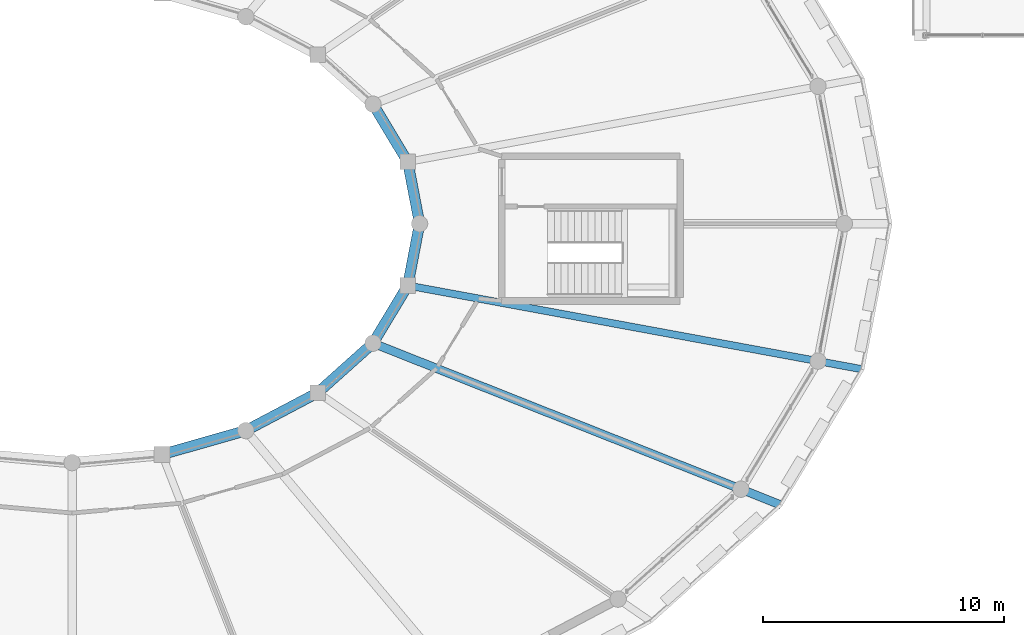
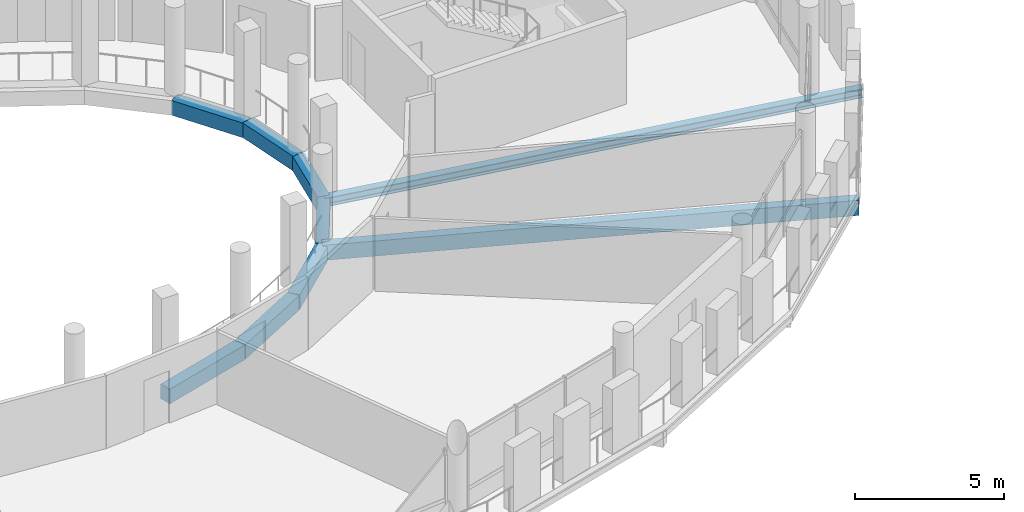
# One storey, part 53 of 128: 9 beams.
"""IFC4 building model written with IfcOpenShell, lengths in metres."""

import ifcopenshell
import ifcopenshell.guid

model = None  # the IFC model being written
_history = None  # IfcOwnerHistory: only IFC2X3 demands one
_inside = {}  # id of a spatial element -> (the spatial element, [elements in it])
_under = {}  # id of a project, library or spatial element -> (it, [spatial elements below it])
_declared = {}  # id of a project -> (the project, [libraries it declares])
_typed = {}  # id of a type object -> (the type object, [elements of that type])
_made_of = {}  # id of a material, layer set ... -> (it, [elements and type objects made of it])


def new_model(schema):
    """Start an empty IFC model of exactly this schema.

    Asked for "IFC4X3", IfcOpenShell would pick the latest addendum, in which some entities
    have other attributes; the version numbers below select the first issue.
    IFC2X3 requires an IfcOwnerHistory on every rooted entity: one is made here for all.
    """
    global model, _history
    if schema == "IFC4X3":
        model = ifcopenshell.file(schema_version=(4, 3, 0, 0))
    else:
        model = ifcopenshell.file(schema=schema)
    _inside.clear()
    _under.clear()
    _declared.clear()
    _typed.clear()
    _made_of.clear()
    _history = None
    if model.schema == "IFC2X3":
        org = make("IfcOrganization", Name="unknown")
        user = make(
            "IfcPersonAndOrganization",
            ThePerson=make("IfcPerson", FamilyName="unknown"),
            TheOrganization=org,
        )
        app = make(
            "IfcApplication",
            ApplicationDeveloper=org,
            Version="unknown",
            ApplicationFullName="unknown",
            ApplicationIdentifier="unknown",
        )
        _history = make(
            "IfcOwnerHistory",
            OwningUser=user,
            OwningApplication=app,
            ChangeAction="ADDED",
            CreationDate=0,
        )
    return model


def make(cls, **values):
    """One entity of the class cls with the attributes given. An attribute that is None is left unset."""
    return model.create_entity(
        cls, **{name: value for name, value in values.items() if value is not None}
    )


def rooted(cls, **values):
    """An entity with a GlobalId (a new one), such as an element, a storey or a relation."""
    return make(cls, GlobalId=ifcopenshell.guid.new(), OwnerHistory=_history, **values)


def si_unit(unit_type, name, prefix=None):
    """IfcSIUnit, for example si_unit("LENGTHUNIT", "METRE", prefix="MILLI")."""
    return make("IfcSIUnit", UnitType=unit_type, Prefix=prefix, Name=name)


def assignment(units):
    """IfcUnitAssignment: the units of a project."""
    return None if units is None else make("IfcUnitAssignment", Units=units)


def point(xyz):
    """IfcCartesianPoint."""
    return None if xyz is None else make("IfcCartesianPoint", Coordinates=xyz)


def direction(xyz):
    """IfcDirection."""
    return None if xyz is None else make("IfcDirection", DirectionRatios=xyz)


def frame(location, z_axis=None, x_axis=None):
    """IfcAxis2Placement3D, a coordinate frame: its origin and axes. An axis left out is left unset."""
    return make(
        "IfcAxis2Placement3D",
        Location=point(location),
        Axis=direction(z_axis),
        RefDirection=direction(x_axis),
    )


def frame_2d(location, x_axis=None):
    """IfcAxis2Placement2D, a coordinate frame in the plane: its origin and x axis."""
    return make(
        "IfcAxis2Placement2D", Location=point(location), RefDirection=direction(x_axis)
    )


def origin():
    """The frame at (0, 0, 0) with its axes left unset."""
    return frame((0.0, 0.0, 0.0))


def origin_2d():
    """The frame at (0, 0) in the plane with its x axis left unset."""
    return frame_2d((0.0, 0.0))


def place(relative_to, where):
    """IfcLocalPlacement: puts the frame where relative to a parent placement (None: the world)."""
    return make(
        "IfcLocalPlacement", PlacementRelTo=relative_to, RelativePlacement=where
    )


def context(
    kind, dimensions, precision=None, world=None, true_north=None, identifier=None
):
    """IfcGeometricRepresentationContext, for example the 3D "Model" context."""
    return make(
        "IfcGeometricRepresentationContext",
        ContextIdentifier=identifier,
        ContextType=kind,
        CoordinateSpaceDimension=dimensions,
        Precision=precision,
        WorldCoordinateSystem=world,
        TrueNorth=true_north,
    )


def subcontext(parent, identifier, kind, view, scale=None):
    """IfcGeometricRepresentationSubContext, for example "Body" below "Model"."""
    return make(
        "IfcGeometricRepresentationSubContext",
        ContextIdentifier=identifier,
        ContextType=kind,
        ParentContext=parent,
        TargetScale=scale,
        TargetView=view,
    )


def project(units=None, contexts=None):
    """IfcProject with its units and contexts."""
    return rooted(
        "IfcProject",
        Name="project",
        RepresentationContexts=contexts,
        UnitsInContext=assignment(units),
    )


def spatial(cls, under=None, at=None, **own):
    """A site, building, storey or space (cls), placed at a placement, below another one or the project."""
    s = rooted(cls, ObjectPlacement=at, **own)
    if under is not None:
        _under.setdefault(under.id(), (under, []))[1].append(s)
    return s


def profile(cls, at=None, kind="AREA", **sizes):
    """A parametric profile (cls). Its sizes go by their IFC names, for example OverallWidth=200.0."""
    return make(cls, ProfileType=kind, Position=at, **sizes)


def rectangle(**sizes):
    """IfcRectangleProfileDef."""
    return profile("IfcRectangleProfileDef", **sizes)


def i_section(**sizes):
    """IfcIShapeProfileDef."""
    return profile("IfcIShapeProfileDef", **sizes)


def extrude(swept, where, along, depth):
    """IfcExtrudedAreaSolid: the profile swept, set in the frame where, extruded along a direction by depth."""
    return make(
        "IfcExtrudedAreaSolid",
        SweptArea=swept,
        Position=where,
        ExtrudedDirection=direction(along),
        Depth=depth,
    )


def shape(context_of_items, identifier, shape_type, items):
    """IfcShapeRepresentation: the items that make up one representation, for example the "Body"."""
    return make(
        "IfcShapeRepresentation",
        ContextOfItems=context_of_items,
        RepresentationIdentifier=identifier,
        RepresentationType=shape_type,
        Items=items,
    )


def material(Name=None, Category=None):
    """IfcMaterial."""
    return make("IfcMaterial", Name=Name, Category=Category)


def material_profile(
    of_material, cross_section, Name=None, Category=None, Priority=None
):
    """IfcMaterialProfile: a cross section and its material."""
    return make(
        "IfcMaterialProfile",
        Name=Name,
        Material=of_material,
        Profile=cross_section,
        Priority=Priority,
        Category=Category,
    )


def profile_set(profiles, Name=None, composite=None):
    """IfcMaterialProfileSet."""
    return make(
        "IfcMaterialProfileSet",
        Name=Name,
        MaterialProfiles=profiles,
        CompositeProfile=composite,
    )


def made_of(thing, what):
    """Note that an element or type object is made of a material, layer set ...; save() writes the relation."""
    if what is not None:
        _made_of.setdefault(what.id(), (what, []))[1].append(thing)
    return thing


def type_object(cls, material=None, **own):
    """A type object (cls), such as IfcWallType, which elements share."""
    return made_of(rooted(cls, **own), material)


def element(
    cls,
    number,
    at=None,
    inside=None,
    cuts=None,
    type_object=None,
    material=None,
    context=None,
    identifier="Body",
    shape_type=None,
    held_by="IfcProductDefinitionShape",
    body=None,
    shapes=None,
    **own,
):
    """One element of the class cls, such as IfcWall. Its Tag is "e" and its number.

    at: its placement. inside: the storey or other place that contains it. cuts: it is an
    opening in that element (IfcRelVoidsElement). A single representation is given by context,
    identifier, shape_type and body (its items); several are given by shapes. held_by: the class
    of the entity that holds the representations. save() writes the other relations.
    """
    e = rooted(cls, Tag="e%d" % number, ObjectPlacement=at, **own)
    if body is not None:
        shapes = [shape(context, identifier, shape_type, body)]
    if shapes is not None:
        e.Representation = make(held_by, Representations=shapes)
    if inside is not None:
        _inside.setdefault(inside.id(), (inside, []))[1].append(e)
    if cuts is not None:
        rooted(
            "IfcRelVoidsElement", RelatingBuildingElement=cuts, RelatedOpeningElement=e
        )
    if type_object is not None:
        _typed.setdefault(type_object.id(), (type_object, []))[1].append(e)
    return made_of(e, material)


def aggregate(whole, parts):
    """IfcRelAggregates: a whole, such as a stair, and the parts it consists of."""
    return rooted("IfcRelAggregates", RelatingObject=whole, RelatedObjects=parts)


def save(model, path):
    """Write the relations noted so far, then the file.

    IfcRelAggregates (storeys below a building ...), IfcRelContainedInSpatialStructure (elements
    in a storey), IfcRelDefinesByType, IfcRelAssociatesMaterial and IfcRelDeclares: one each for
    every whole, place, type object, material and project.
    """
    for whole, parts in _under.values():
        aggregate(whole, parts)
    for where, things in _inside.values():
        rooted(
            "IfcRelContainedInSpatialStructure",
            RelatedElements=things,
            RelatingStructure=where,
        )
    for kind, things in _typed.values():
        rooted("IfcRelDefinesByType", RelatedObjects=things, RelatingType=kind)
    for what, things in _made_of.values():
        rooted("IfcRelAssociatesMaterial", RelatedObjects=things, RelatingMaterial=what)
    for by, libraries in _declared.values():
        rooted("IfcRelDeclares", RelatingContext=by, RelatedDefinitions=libraries)
    model.write(path)


model = new_model("IFC4")

# Units and contexts
model_context = context("Model", 3, precision=1e-05, world=origin(), true_north=direction((0.0, 1.0)))
body_context = subcontext(model_context, "Body", "Model", "MODEL_VIEW")
ifc_project = project(units=[si_unit("LENGTHUNIT", "METRE"), si_unit("AREAUNIT", "SQUARE_METRE"), si_unit("VOLUMEUNIT", "CUBIC_METRE"), si_unit("PLANEANGLEUNIT", "RADIAN"), si_unit("MASSUNIT", "GRAM", prefix="KILO")], contexts=[model_context])

# Site, building, storey
site_placement = place(None, origin())
site = spatial("IfcSite", under=ifc_project, at=site_placement, CompositionType="ELEMENT")
building_placement = place(site_placement, origin())
building = spatial("IfcBuilding", under=site, at=building_placement, Name="Zornivar Specialist Clinic", CompositionType="ELEMENT")
storey_placement = place(building_placement, frame((0.0, 0.0, 4.5)))
storey = spatial("IfcBuildingStorey", under=building, at=storey_placement, Name="L01", CompositionType="ELEMENT", Elevation=4.5)

# Beams
ifc_material_1 = material(Name="Concrete C30/37", Category="concrete")
ifc_material_profile_1 = material_profile(ifc_material_1, rectangle(XDim=0.43994140625, YDim=0.60009765625, at=origin_2d()), Name="RC 440x600")
ifc_profile_set_1 = profile_set([ifc_material_profile_1], Name="Concrete C30/37")
beam_type_1 = type_object("IfcBeamType", Name="BM-RC-440x600", PredefinedType="BEAM", material=ifc_profile_set_1)
beam_1_placement = place(storey_placement, frame((108.0, 57.60009765625, -0.590087890625), z_axis=(-0.188208648203, 0.982129067252, 0.0), x_axis=(-0.982129067252, -0.188208648203, 0.0)))
element("IfcBeam", 1, at=beam_1_placement, inside=storey, type_object=beam_type_1, Name="bm:V1:L01:inring:00", PredefinedType="BEAM", context=body_context, shape_type="SweptSolid", body=[
    extrude(rectangle(XDim=0.43994140625, YDim=0.60009765625, at=origin_2d()), origin(), (0.0, 0.0, 1.0), 2.608642578125),
])
beam_2_placement = place(storey_placement, frame((107.509033203125, 60.162109375, -0.590087890625), z_axis=(-0.515873260277, 0.856664916599, 0.0), x_axis=(-0.856664916599, -0.515873260277, 0.0)))
element("IfcBeam", 2, at=beam_2_placement, inside=storey, type_object=beam_type_1, Name="bm:V1:L01:inring:01", PredefinedType="BEAM", context=body_context, shape_type="SweptSolid", body=[
    extrude(rectangle(XDim=0.43994140625, YDim=0.60009765625, at=origin_2d()), origin(), (0.0, 0.0, 1.0), 2.78759765625),
])
beam_3_placement = place(storey_placement, frame((97.326904296875, 48.037109375, -0.590087890625), z_axis=(0.961783741221, 0.273810217345, 0.0), x_axis=(-0.273810217345, 0.961783741221, 0.0)))
element("IfcBeam", 3, at=beam_3_placement, inside=storey, type_object=beam_type_1, Name="bm:V1:L01:inring:19", PredefinedType="BEAM", context=body_context, shape_type="SweptSolid", body=[
    extrude(rectangle(XDim=0.43994140625, YDim=0.60009765625, at=origin_2d()), origin(), (0.0, 0.0, 1.0), 3.611083984375),
])
beam_4_placement = place(storey_placement, frame((100.800048828125, 49.02587890625, -0.590087890625), z_axis=(0.884333274309, 0.466856144813, 0.0), x_axis=(-0.466856144813, 0.884333274309, 0.0)))
element("IfcBeam", 4, at=beam_4_placement, inside=storey, type_object=beam_type_1, Name="bm:V1:L01:inring:20", PredefinedType="BEAM", context=body_context, shape_type="SweptSolid", body=[
    extrude(rectangle(XDim=0.43994140625, YDim=0.60009765625, at=origin_2d()), origin(), (0.0, 0.0, 1.0), 3.3720703125),
])
beam_5_placement = place(storey_placement, frame((103.781982421875, 50.60009765625, -0.590087890625), z_axis=(0.744966948512, 0.667101375822, 0.0), x_axis=(-0.667101375822, 0.744966948512, 0.0)))
element("IfcBeam", 5, at=beam_5_placement, inside=storey, type_object=beam_type_1, Name="bm:V1:L01:inring:21", PredefinedType="BEAM", context=body_context, shape_type="SweptSolid", body=[
    extrude(rectangle(XDim=0.43994140625, YDim=0.60009765625, at=origin_2d()), origin(), (0.0, 0.0, 1.0), 3.07275390625),
])
beam_6_placement = place(storey_placement, frame((106.071044921875, 52.64990234375, -0.590087890625), z_axis=(0.515834556349, 0.856688222445, 0.0), x_axis=(-0.856688222445, 0.515834556349, 0.0)))
element("IfcBeam", 6, at=beam_6_placement, inside=storey, type_object=beam_type_1, Name="bm:V1:L01:inring:22", PredefinedType="BEAM", context=body_context, shape_type="SweptSolid", body=[
    extrude(rectangle(XDim=0.43994140625, YDim=0.60009765625, at=origin_2d()), origin(), (0.0, 0.0, 1.0), 2.78759765625),
])
beam_7_placement = place(storey_placement, frame((107.509033203125, 55.0380859375, -0.590087890625), z_axis=(0.188208648203, 0.982129067252, 0.0), x_axis=(-0.982129067252, 0.188208648203, 0.0)))
element("IfcBeam", 7, at=beam_7_placement, inside=storey, type_object=beam_type_1, Name="bm:V1:L01:inring:23", PredefinedType="BEAM", context=body_context, shape_type="SweptSolid", body=[
    extrude(rectangle(XDim=0.43994140625, YDim=0.60009765625, at=origin_2d()), origin(), (0.0, 0.0, 1.0), 2.608642578125),
])
ifc_material_2 = material(Name="Concrete C30/37", Category="concrete")
ifc_material_profile_2 = material_profile(ifc_material_2, rectangle(XDim=0.35009765625, YDim=0.6201171875, at=origin_2d()), Name="RC 350x620")
ifc_profile_set_2 = profile_set([ifc_material_profile_2], Name="Concrete C30/37")
beam_type_2 = type_object("IfcBeamType", Name="BM-RC-CANT-350x620", PredefinedType="BEAM", material=ifc_profile_set_2)
beam_8_placement = place(storey_placement, frame((106.071044921875, 52.64990234375, -0.550048828125), z_axis=(0.92946024729, -0.368922280036, 0.0), x_axis=(0.368922280036, 0.92946024729, 0.0)))
element("IfcBeam", 8, at=beam_8_placement, inside=storey, type_object=beam_type_2, Name="bm:V1:L01:radcant:22", PredefinedType="BEAM", context=body_context, shape_type="SweptSolid", body=[
    extrude(rectangle(XDim=0.35009765625, YDim=0.6201171875, at=origin_2d()), origin(), (0.0, 0.0, 1.0), 18.18798828125),
])
ifc_material_3 = material(Name="Steel S355J2", Category="steel")
ifc_material_profile_3 = material_profile(ifc_material_3, i_section(OverallWidth=0.300048828125, OverallDepth=0.360107421875, WebThickness=0.012451171875, FlangeThickness=0.0224609375, FilletRadius=0.027099609375, at=origin_2d()), Name="HEB 360")
ifc_profile_set_3 = profile_set([ifc_material_profile_3], Name="Steel S355J2")
beam_type_3 = type_object("IfcBeamType", Name="BM-STL-HEB360", PredefinedType="BEAM", material=ifc_profile_set_3)
beam_9_placement = place(storey_placement, frame((107.509033203125, 55.0380859375, -0.469970703125), z_axis=(0.983445426184, -0.181204563183, 0.0), x_axis=(0.181204563183, 0.983445426184, 0.0)))
element("IfcBeam", 9, at=beam_9_placement, inside=storey, type_object=beam_type_3, Name="bm:V1:L01:radmid:23", PredefinedType="BEAM", context=body_context, shape_type="SweptSolid", body=[
    extrude(i_section(OverallWidth=0.300048828125, OverallDepth=0.360107421875, WebThickness=0.012451171875, FlangeThickness=0.0224609375, FilletRadius=0.027099609375, at=origin_2d()), origin(), (0.0, 0.0, 1.0), 19.17236328125),
])

save(model, "model.ifc")
